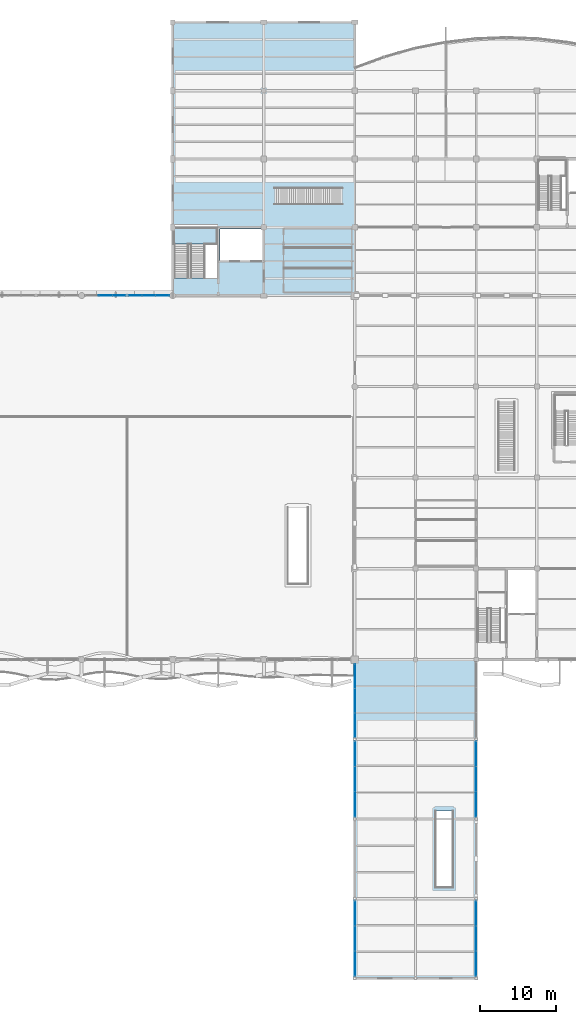
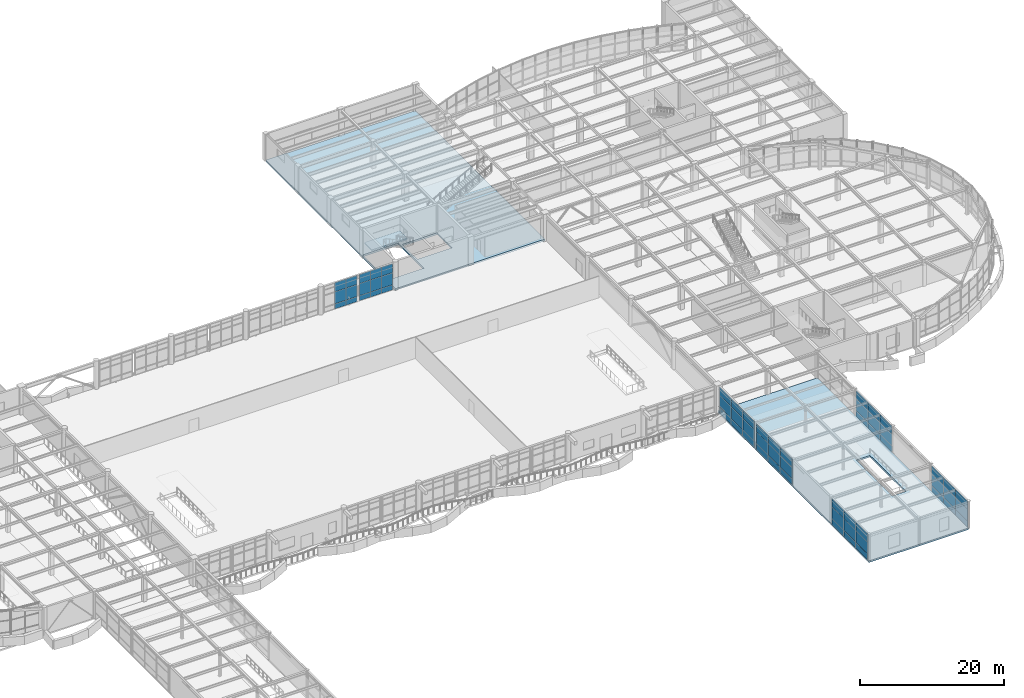
# One storey, part 40 of 72: 60 plates, 3 slabs, 8 elements without a shape of their own.
"""IFC4 building model written with IfcOpenShell, lengths in metres."""

import ifcopenshell
import ifcopenshell.guid

model = None  # the IFC model being written
_history = None  # IfcOwnerHistory: only IFC2X3 demands one
_inside = {}  # id of a spatial element -> (the spatial element, [elements in it])
_under = {}  # id of a project, library or spatial element -> (it, [spatial elements below it])
_declared = {}  # id of a project -> (the project, [libraries it declares])
_typed = {}  # id of a type object -> (the type object, [elements of that type])
_made_of = {}  # id of a material, layer set ... -> (it, [elements and type objects made of it])


def new_model(schema):
    """Start an empty IFC model of exactly this schema.

    Asked for "IFC4X3", IfcOpenShell would pick the latest addendum, in which some entities
    have other attributes; the version numbers below select the first issue.
    IFC2X3 requires an IfcOwnerHistory on every rooted entity: one is made here for all.
    """
    global model, _history
    if schema == "IFC4X3":
        model = ifcopenshell.file(schema_version=(4, 3, 0, 0))
    else:
        model = ifcopenshell.file(schema=schema)
    _inside.clear()
    _under.clear()
    _declared.clear()
    _typed.clear()
    _made_of.clear()
    _history = None
    if model.schema == "IFC2X3":
        org = make("IfcOrganization", Name="unknown")
        user = make(
            "IfcPersonAndOrganization",
            ThePerson=make("IfcPerson", FamilyName="unknown"),
            TheOrganization=org,
        )
        app = make(
            "IfcApplication",
            ApplicationDeveloper=org,
            Version="unknown",
            ApplicationFullName="unknown",
            ApplicationIdentifier="unknown",
        )
        _history = make(
            "IfcOwnerHistory",
            OwningUser=user,
            OwningApplication=app,
            ChangeAction="ADDED",
            CreationDate=0,
        )
    return model


def make(cls, **values):
    """One entity of the class cls with the attributes given. An attribute that is None is left unset."""
    return model.create_entity(
        cls, **{name: value for name, value in values.items() if value is not None}
    )


def rooted(cls, **values):
    """An entity with a GlobalId (a new one), such as an element, a storey or a relation."""
    return make(cls, GlobalId=ifcopenshell.guid.new(), OwnerHistory=_history, **values)


def si_unit(unit_type, name, prefix=None):
    """IfcSIUnit, for example si_unit("LENGTHUNIT", "METRE", prefix="MILLI")."""
    return make("IfcSIUnit", UnitType=unit_type, Prefix=prefix, Name=name)


def assignment(units):
    """IfcUnitAssignment: the units of a project."""
    return None if units is None else make("IfcUnitAssignment", Units=units)


def point(xyz):
    """IfcCartesianPoint."""
    return None if xyz is None else make("IfcCartesianPoint", Coordinates=xyz)


def direction(xyz):
    """IfcDirection."""
    return None if xyz is None else make("IfcDirection", DirectionRatios=xyz)


def frame(location, z_axis=None, x_axis=None):
    """IfcAxis2Placement3D, a coordinate frame: its origin and axes. An axis left out is left unset."""
    return make(
        "IfcAxis2Placement3D",
        Location=point(location),
        Axis=direction(z_axis),
        RefDirection=direction(x_axis),
    )


def frame_2d(location, x_axis=None):
    """IfcAxis2Placement2D, a coordinate frame in the plane: its origin and x axis."""
    return make(
        "IfcAxis2Placement2D", Location=point(location), RefDirection=direction(x_axis)
    )


def origin():
    """The frame at (0, 0, 0) with its axes left unset."""
    return frame((0.0, 0.0, 0.0))


def origin_2d():
    """The frame at (0, 0) in the plane with its x axis left unset."""
    return frame_2d((0.0, 0.0))


def place(relative_to, where):
    """IfcLocalPlacement: puts the frame where relative to a parent placement (None: the world)."""
    return make(
        "IfcLocalPlacement", PlacementRelTo=relative_to, RelativePlacement=where
    )


def context(
    kind, dimensions, precision=None, world=None, true_north=None, identifier=None
):
    """IfcGeometricRepresentationContext, for example the 3D "Model" context."""
    return make(
        "IfcGeometricRepresentationContext",
        ContextIdentifier=identifier,
        ContextType=kind,
        CoordinateSpaceDimension=dimensions,
        Precision=precision,
        WorldCoordinateSystem=world,
        TrueNorth=true_north,
    )


def subcontext(parent, identifier, kind, view, scale=None):
    """IfcGeometricRepresentationSubContext, for example "Body" below "Model"."""
    return make(
        "IfcGeometricRepresentationSubContext",
        ContextIdentifier=identifier,
        ContextType=kind,
        ParentContext=parent,
        TargetScale=scale,
        TargetView=view,
    )


def project(units=None, contexts=None):
    """IfcProject with its units and contexts."""
    return rooted(
        "IfcProject",
        Name="project",
        RepresentationContexts=contexts,
        UnitsInContext=assignment(units),
    )


def spatial(cls, under=None, at=None, **own):
    """A site, building, storey or space (cls), placed at a placement, below another one or the project."""
    s = rooted(cls, ObjectPlacement=at, **own)
    if under is not None:
        _under.setdefault(under.id(), (under, []))[1].append(s)
    return s


def polyline(points):
    """IfcPolyline through the points."""
    return make("IfcPolyline", Points=[point(p) for p in points])


def profile(cls, at=None, kind="AREA", **sizes):
    """A parametric profile (cls). Its sizes go by their IFC names, for example OverallWidth=200.0."""
    return make(cls, ProfileType=kind, Position=at, **sizes)


def rectangle(**sizes):
    """IfcRectangleProfileDef."""
    return profile("IfcRectangleProfileDef", **sizes)


def outline(outer, holes=None, kind="AREA"):
    """IfcArbitraryClosedProfileDef: a profile drawn as a closed curve; with holes, ...WithVoids."""
    if holes is None:
        return make("IfcArbitraryClosedProfileDef", ProfileType=kind, OuterCurve=outer)
    return make(
        "IfcArbitraryProfileDefWithVoids",
        ProfileType=kind,
        OuterCurve=outer,
        InnerCurves=holes,
    )


def extrude(swept, where, along, depth):
    """IfcExtrudedAreaSolid: the profile swept, set in the frame where, extruded along a direction by depth."""
    return make(
        "IfcExtrudedAreaSolid",
        SweptArea=swept,
        Position=where,
        ExtrudedDirection=direction(along),
        Depth=depth,
    )


def shape(context_of_items, identifier, shape_type, items):
    """IfcShapeRepresentation: the items that make up one representation, for example the "Body"."""
    return make(
        "IfcShapeRepresentation",
        ContextOfItems=context_of_items,
        RepresentationIdentifier=identifier,
        RepresentationType=shape_type,
        Items=items,
    )


def material(Name=None, Category=None):
    """IfcMaterial."""
    return make("IfcMaterial", Name=Name, Category=Category)


def layer(
    of_material, thickness, ventilated=None, Name=None, Category=None, Priority=None
):
    """IfcMaterialLayer: one layer of a wall or slab, of a material (None: an air gap)."""
    return make(
        "IfcMaterialLayer",
        Material=of_material,
        LayerThickness=thickness,
        IsVentilated=ventilated,
        Name=Name,
        Category=Category,
        Priority=Priority,
    )


def layer_set(layers, Name=None):
    """IfcMaterialLayerSet."""
    return make("IfcMaterialLayerSet", MaterialLayers=layers, LayerSetName=Name)


def made_of(thing, what):
    """Note that an element or type object is made of a material, layer set ...; save() writes the relation."""
    if what is not None:
        _made_of.setdefault(what.id(), (what, []))[1].append(thing)
    return thing


def type_object(cls, material=None, **own):
    """A type object (cls), such as IfcWallType, which elements share."""
    return made_of(rooted(cls, **own), material)


def element(
    cls,
    number,
    at=None,
    inside=None,
    cuts=None,
    type_object=None,
    material=None,
    context=None,
    identifier="Body",
    shape_type=None,
    held_by="IfcProductDefinitionShape",
    body=None,
    shapes=None,
    **own,
):
    """One element of the class cls, such as IfcWall. Its Tag is "e" and its number.

    at: its placement. inside: the storey or other place that contains it. cuts: it is an
    opening in that element (IfcRelVoidsElement). A single representation is given by context,
    identifier, shape_type and body (its items); several are given by shapes. held_by: the class
    of the entity that holds the representations. save() writes the other relations.
    """
    e = rooted(cls, Tag="e%d" % number, ObjectPlacement=at, **own)
    if body is not None:
        shapes = [shape(context, identifier, shape_type, body)]
    if shapes is not None:
        e.Representation = make(held_by, Representations=shapes)
    if inside is not None:
        _inside.setdefault(inside.id(), (inside, []))[1].append(e)
    if cuts is not None:
        rooted(
            "IfcRelVoidsElement", RelatingBuildingElement=cuts, RelatedOpeningElement=e
        )
    if type_object is not None:
        _typed.setdefault(type_object.id(), (type_object, []))[1].append(e)
    return made_of(e, material)


def aggregate(whole, parts):
    """IfcRelAggregates: a whole, such as a stair, and the parts it consists of."""
    return rooted("IfcRelAggregates", RelatingObject=whole, RelatedObjects=parts)


def save(model, path):
    """Write the relations noted so far, then the file.

    IfcRelAggregates (storeys below a building ...), IfcRelContainedInSpatialStructure (elements
    in a storey), IfcRelDefinesByType, IfcRelAssociatesMaterial and IfcRelDeclares: one each for
    every whole, place, type object, material and project.
    """
    for whole, parts in _under.values():
        aggregate(whole, parts)
    for where, things in _inside.values():
        rooted(
            "IfcRelContainedInSpatialStructure",
            RelatedElements=things,
            RelatingStructure=where,
        )
    for kind, things in _typed.values():
        rooted("IfcRelDefinesByType", RelatedObjects=things, RelatingType=kind)
    for what, things in _made_of.values():
        rooted("IfcRelAssociatesMaterial", RelatedObjects=things, RelatingMaterial=what)
    for by, libraries in _declared.values():
        rooted("IfcRelDeclares", RelatingContext=by, RelatedDefinitions=libraries)
    model.write(path)


model = new_model("IFC4")

# Units and contexts
model_context = context("Model", 3, precision=1e-05, world=origin(), true_north=direction((0.0, 1.0)))
body_context = subcontext(model_context, "Body", "Model", "MODEL_VIEW")
ifc_project = project(units=[si_unit("LENGTHUNIT", "METRE"), si_unit("AREAUNIT", "SQUARE_METRE"), si_unit("VOLUMEUNIT", "CUBIC_METRE"), si_unit("PLANEANGLEUNIT", "RADIAN"), si_unit("MASSUNIT", "GRAM", prefix="KILO")], contexts=[model_context])

# Site, building, storey
site_placement = place(None, origin())
site = spatial("IfcSite", under=ifc_project, at=site_placement, CompositionType="ELEMENT")
building_placement = place(site_placement, origin())
building = spatial("IfcBuilding", under=site, at=building_placement, Name="Keelwater Ferry Terminal", CompositionType="ELEMENT")
storey_placement = place(building_placement, frame((0.0, 0.0, 5.39990234375)))
storey = spatial("IfcBuildingStorey", under=building, at=storey_placement, Name="L01", CompositionType="ELEMENT", Elevation=5.39990234375)

# Curtain wall, plates
ifc_material_1 = material(Name="Thermally broken unitised aluminium and triple glass", Category="aluminium")
ifc_layer_1 = layer(ifc_material_1, 0.179931640625)
ifc_layer_set_1 = layer_set([ifc_layer_1], Name="Thermally broken unitised aluminium and triple glass")
curtain_wall_type_1 = type_object("IfcCurtainWallType", Name="CW-06 Unitised Curtain Wall 5330x4450", PredefinedType="USERDEFINED", material=ifc_layer_set_1)
curtain_wall_1_placement = place(storey_placement, origin())
curtain_wall_1 = element("IfcCurtainWall", 1, at=curtain_wall_1_placement, inside=storey, type_object=curtain_wall_type_1, Name="Unitised Curtain Wall CW-L01-037", ObjectType="UNITISED CURTAIN WALL", PredefinedType="USERDEFINED")
ifc_material_2 = material(Name="Insulated aluminium spandrel", Category="aluminium")
ifc_layer_2 = layer(ifc_material_2, 0.080078125)
ifc_layer_set_2 = layer_set([ifc_layer_2], Name="Insulated aluminium spandrel")
plate_type_1 = type_object("IfcPlateType", Name="CWP-S1 Insulated Spandrel Panel 80", PredefinedType="CURTAIN_PANEL", material=ifc_layer_set_2)
plate_1_placement = place(storey_placement, frame((99.139892578125, 90.0, 0.0), z_axis=(0.0, 0.0, 1.0), x_axis=(1.0, 0.0, 0.0)))
plate_1 = element("IfcPlate", 2, at=plate_1_placement, type_object=plate_type_1, Name="CW-L01-037 Panel 2.1", PredefinedType="CURTAIN_PANEL", context=body_context, shape_type="SweptSolid", body=[
    extrude(rectangle(XDim=1.776611328125, YDim=0.080078125, at=origin_2d()), origin(), (0.0, 0.0, 1.0), 0.85009765625),
])
plate_2_placement = place(storey_placement, frame((100.916748046875, 90.0, 0.0), z_axis=(0.0, 0.0, 1.0), x_axis=(1.0, 0.0, 0.0)))
plate_2 = element("IfcPlate", 3, at=plate_2_placement, type_object=plate_type_1, Name="CW-L01-037 Panel 3.1", PredefinedType="CURTAIN_PANEL", context=body_context, shape_type="SweptSolid", body=[
    extrude(rectangle(XDim=1.776611328125, YDim=0.080078125, at=origin_2d()), origin(), (0.0, 0.0, 1.0), 0.85009765625),
])

curtain_wall_2_placement = place(storey_placement, origin())
curtain_wall_2 = element("IfcCurtainWall", 4, at=curtain_wall_2_placement, inside=storey, type_object=curtain_wall_type_1, Name="Unitised Curtain Wall CW-L01-038", ObjectType="UNITISED CURTAIN WALL", PredefinedType="USERDEFINED")
plate_3_placement = place(storey_placement, frame((103.083251953125, 90.0, 0.0), z_axis=(0.0, 0.0, 1.0), x_axis=(1.0, 0.0, 0.0)))
plate_3 = element("IfcPlate", 5, at=plate_3_placement, type_object=plate_type_1, Name="CW-L01-038 Panel 1.1", PredefinedType="CURTAIN_PANEL", context=body_context, shape_type="SweptSolid", body=[
    extrude(rectangle(XDim=1.776611328125, YDim=0.080078125, at=origin_2d()), origin(), (0.0, 0.0, 1.0), 0.85009765625),
])
plate_4_placement = place(storey_placement, frame((104.860107421875, 90.0, 0.0), z_axis=(0.0, 0.0, 1.0), x_axis=(1.0, 0.0, 0.0)))
plate_4 = element("IfcPlate", 6, at=plate_4_placement, type_object=plate_type_1, Name="CW-L01-038 Panel 2.1", PredefinedType="CURTAIN_PANEL", context=body_context, shape_type="SweptSolid", body=[
    extrude(rectangle(XDim=1.776611328125, YDim=0.080078125, at=origin_2d()), origin(), (0.0, 0.0, 1.0), 0.85009765625),
])
plate_5_placement = place(storey_placement, frame((106.63671875, 90.0, 0.0), z_axis=(0.0, 0.0, 1.0), x_axis=(1.0, 0.0, 0.0)))
plate_5 = element("IfcPlate", 7, at=plate_5_placement, type_object=plate_type_1, Name="CW-L01-038 Panel 3.1", PredefinedType="CURTAIN_PANEL", context=body_context, shape_type="SweptSolid", body=[
    extrude(rectangle(XDim=1.776611328125, YDim=0.080078125, at=origin_2d()), origin(), (0.0, 0.0, 1.0), 0.85009765625),
])

ifc_material_3 = material(Name="Thermally broken unitised aluminium and triple glass", Category="aluminium")
ifc_layer_3 = layer(ifc_material_3, 0.179931640625)
ifc_layer_set_3 = layer_set([ifc_layer_3], Name="Thermally broken unitised aluminium and triple glass")
curtain_wall_type_2 = type_object("IfcCurtainWallType", Name="CW-09 Unitised Curtain Wall 9944x4400", PredefinedType="USERDEFINED", material=ifc_layer_set_3)
curtain_wall_3_placement = place(storey_placement, origin())
curtain_wall_3 = element("IfcCurtainWall", 8, at=curtain_wall_3_placement, inside=storey, type_object=curtain_wall_type_2, Name="Unitised Curtain Wall CW-L01-060", ObjectType="UNITISED CURTAIN WALL", PredefinedType="USERDEFINED")
plate_6_placement = place(storey_placement, frame((132.0, 1.935302734375, 0.0), z_axis=(0.0, 0.0, 1.0), x_axis=(0.0, 1.0, 0.0)))
plate_6 = element("IfcPlate", 9, at=plate_6_placement, type_object=plate_type_1, Name="CW-L01-060 Panel 1.1", PredefinedType="CURTAIN_PANEL", context=body_context, shape_type="SweptSolid", body=[
    extrude(rectangle(XDim=3.314697265625, YDim=0.080078125, at=origin_2d()), origin(), (0.0, 0.0, 1.0), 1.0),
])
plate_7_placement = place(storey_placement, frame((132.0, 5.25, 0.0), z_axis=(0.0, 0.0, 1.0), x_axis=(0.0, 1.0, 0.0)))
plate_7 = element("IfcPlate", 10, at=plate_7_placement, type_object=plate_type_1, Name="CW-L01-060 Panel 2.1", PredefinedType="CURTAIN_PANEL", context=body_context, shape_type="SweptSolid", body=[
    extrude(rectangle(XDim=3.314697265625, YDim=0.080078125, at=origin_2d()), origin(), (0.0, 0.0, 1.0), 1.0),
])
plate_8_placement = place(storey_placement, frame((132.0, 8.564697265625, 0.0), z_axis=(0.0, 0.0, 1.0), x_axis=(0.0, 1.0, 0.0)))
plate_8 = element("IfcPlate", 11, at=plate_8_placement, type_object=plate_type_1, Name="CW-L01-060 Panel 3.1", PredefinedType="CURTAIN_PANEL", context=body_context, shape_type="SweptSolid", body=[
    extrude(rectangle(XDim=3.314697265625, YDim=0.080078125, at=origin_2d()), origin(), (0.0, 0.0, 1.0), 1.0),
])

curtain_wall_4_placement = place(storey_placement, origin())
curtain_wall_4 = element("IfcCurtainWall", 12, at=curtain_wall_4_placement, inside=storey, type_object=curtain_wall_type_2, Name="Unitised Curtain Wall CW-L01-062", ObjectType="UNITISED CURTAIN WALL", PredefinedType="USERDEFINED")
plate_9_placement = place(storey_placement, frame((132.0, 22.935302734375, 0.0), z_axis=(0.0, 0.0, 1.0), x_axis=(0.0, 1.0, 0.0)))
plate_9 = element("IfcPlate", 13, at=plate_9_placement, type_object=plate_type_1, Name="CW-L01-062 Panel 1.1", PredefinedType="CURTAIN_PANEL", context=body_context, shape_type="SweptSolid", body=[
    extrude(rectangle(XDim=3.314697265625, YDim=0.080078125, at=origin_2d()), origin(), (0.0, 0.0, 1.0), 1.0),
])
plate_10_placement = place(storey_placement, frame((132.0, 26.25, 0.0), z_axis=(0.0, 0.0, 1.0), x_axis=(0.0, 1.0, 0.0)))
plate_10 = element("IfcPlate", 14, at=plate_10_placement, type_object=plate_type_1, Name="CW-L01-062 Panel 2.1", PredefinedType="CURTAIN_PANEL", context=body_context, shape_type="SweptSolid", body=[
    extrude(rectangle(XDim=3.314697265625, YDim=0.080078125, at=origin_2d()), origin(), (0.0, 0.0, 1.0), 1.0),
])
plate_11_placement = place(storey_placement, frame((132.0, 29.564697265625, 0.0), z_axis=(0.0, 0.0, 1.0), x_axis=(0.0, 1.0, 0.0)))
plate_11 = element("IfcPlate", 15, at=plate_11_placement, type_object=plate_type_1, Name="CW-L01-062 Panel 3.1", PredefinedType="CURTAIN_PANEL", context=body_context, shape_type="SweptSolid", body=[
    extrude(rectangle(XDim=3.314697265625, YDim=0.080078125, at=origin_2d()), origin(), (0.0, 0.0, 1.0), 1.0),
])

ifc_material_4 = material(Name="Thermally broken unitised aluminium and triple glass", Category="aluminium")
ifc_layer_4 = layer(ifc_material_4, 0.179931640625)
ifc_layer_set_4 = layer_set([ifc_layer_4], Name="Thermally broken unitised aluminium and triple glass")
curtain_wall_type_3 = type_object("IfcCurtainWallType", Name="CW-13 Unitised Curtain Wall 9647x4400", PredefinedType="USERDEFINED", material=ifc_layer_set_4)
curtain_wall_5_placement = place(storey_placement, origin())
curtain_wall_5 = element("IfcCurtainWall", 16, at=curtain_wall_5_placement, inside=storey, type_object=curtain_wall_type_3, Name="Unitised Curtain Wall CW-L01-064", ObjectType="UNITISED CURTAIN WALL", PredefinedType="USERDEFINED")
plate_12_placement = place(storey_placement, frame((132.0, 33.3857421875, 0.0), z_axis=(0.0, 0.0, 1.0), x_axis=(0.0, 1.0, 0.0)))
plate_12 = element("IfcPlate", 17, at=plate_12_placement, type_object=plate_type_1, Name="CW-L01-064 Panel 1.1", PredefinedType="CURTAIN_PANEL", context=body_context, shape_type="SweptSolid", body=[
    extrude(rectangle(XDim=3.215576171875, YDim=0.080078125, at=origin_2d()), origin(), (0.0, 0.0, 1.0), 1.0),
])
plate_13_placement = place(storey_placement, frame((132.0, 36.6015625, 0.0), z_axis=(0.0, 0.0, 1.0), x_axis=(0.0, 1.0, 0.0)))
plate_13 = element("IfcPlate", 18, at=plate_13_placement, type_object=plate_type_1, Name="CW-L01-064 Panel 2.1", PredefinedType="CURTAIN_PANEL", context=body_context, shape_type="SweptSolid", body=[
    extrude(rectangle(XDim=3.215576171875, YDim=0.080078125, at=origin_2d()), origin(), (0.0, 0.0, 1.0), 1.0),
])
plate_14_placement = place(storey_placement, frame((132.0, 39.817138671875, 0.0), z_axis=(0.0, 0.0, 1.0), x_axis=(0.0, 1.0, 0.0)))
plate_14 = element("IfcPlate", 19, at=plate_14_placement, type_object=plate_type_1, Name="CW-L01-064 Panel 3.1", PredefinedType="CURTAIN_PANEL", context=body_context, shape_type="SweptSolid", body=[
    extrude(rectangle(XDim=3.215576171875, YDim=0.080078125, at=origin_2d()), origin(), (0.0, 0.0, 1.0), 1.0),
])

curtain_wall_6_placement = place(storey_placement, origin())
curtain_wall_6 = element("IfcCurtainWall", 20, at=curtain_wall_6_placement, inside=storey, type_object=curtain_wall_type_2, Name="Unitised Curtain Wall CW-L01-066", ObjectType="UNITISED CURTAIN WALL", PredefinedType="USERDEFINED")
plate_15_placement = place(storey_placement, frame((148.0, 1.935302734375, 0.0), z_axis=(0.0, 0.0, 1.0), x_axis=(0.0, 1.0, 0.0)))
plate_15 = element("IfcPlate", 21, at=plate_15_placement, type_object=plate_type_1, Name="CW-L01-066 Panel 1.1", PredefinedType="CURTAIN_PANEL", context=body_context, shape_type="SweptSolid", body=[
    extrude(rectangle(XDim=3.314697265625, YDim=0.080078125, at=origin_2d()), origin(), (0.0, 0.0, 1.0), 1.0),
])
plate_16_placement = place(storey_placement, frame((148.0, 5.25, 0.0), z_axis=(0.0, 0.0, 1.0), x_axis=(0.0, 1.0, 0.0)))
plate_16 = element("IfcPlate", 22, at=plate_16_placement, type_object=plate_type_1, Name="CW-L01-066 Panel 2.1", PredefinedType="CURTAIN_PANEL", context=body_context, shape_type="SweptSolid", body=[
    extrude(rectangle(XDim=3.314697265625, YDim=0.080078125, at=origin_2d()), origin(), (0.0, 0.0, 1.0), 1.0),
])
plate_17_placement = place(storey_placement, frame((148.0, 8.564697265625, 0.0), z_axis=(0.0, 0.0, 1.0), x_axis=(0.0, 1.0, 0.0)))
plate_17 = element("IfcPlate", 23, at=plate_17_placement, type_object=plate_type_1, Name="CW-L01-066 Panel 3.1", PredefinedType="CURTAIN_PANEL", context=body_context, shape_type="SweptSolid", body=[
    extrude(rectangle(XDim=3.314697265625, YDim=0.080078125, at=origin_2d()), origin(), (0.0, 0.0, 1.0), 1.0),
])

curtain_wall_7_placement = place(storey_placement, origin())
curtain_wall_7 = element("IfcCurtainWall", 24, at=curtain_wall_7_placement, inside=storey, type_object=curtain_wall_type_2, Name="Unitised Curtain Wall CW-L01-068", ObjectType="UNITISED CURTAIN WALL", PredefinedType="USERDEFINED")
plate_18_placement = place(storey_placement, frame((148.0, 22.935302734375, 0.0), z_axis=(0.0, 0.0, 1.0), x_axis=(0.0, 1.0, 0.0)))
plate_18 = element("IfcPlate", 25, at=plate_18_placement, type_object=plate_type_1, Name="CW-L01-068 Panel 1.1", PredefinedType="CURTAIN_PANEL", context=body_context, shape_type="SweptSolid", body=[
    extrude(rectangle(XDim=3.314697265625, YDim=0.080078125, at=origin_2d()), origin(), (0.0, 0.0, 1.0), 1.0),
])
plate_19_placement = place(storey_placement, frame((148.0, 26.25, 0.0), z_axis=(0.0, 0.0, 1.0), x_axis=(0.0, 1.0, 0.0)))
plate_19 = element("IfcPlate", 26, at=plate_19_placement, type_object=plate_type_1, Name="CW-L01-068 Panel 2.1", PredefinedType="CURTAIN_PANEL", context=body_context, shape_type="SweptSolid", body=[
    extrude(rectangle(XDim=3.314697265625, YDim=0.080078125, at=origin_2d()), origin(), (0.0, 0.0, 1.0), 1.0),
])
plate_20_placement = place(storey_placement, frame((148.0, 29.564697265625, 0.0), z_axis=(0.0, 0.0, 1.0), x_axis=(0.0, 1.0, 0.0)))
plate_20 = element("IfcPlate", 27, at=plate_20_placement, type_object=plate_type_1, Name="CW-L01-068 Panel 3.1", PredefinedType="CURTAIN_PANEL", context=body_context, shape_type="SweptSolid", body=[
    extrude(rectangle(XDim=3.314697265625, YDim=0.080078125, at=origin_2d()), origin(), (0.0, 0.0, 1.0), 1.0),
])

# Plate
ifc_material_5 = material(Name="Triple low-E laminated glass", Category="glass")
ifc_layer_5 = layer(ifc_material_5, 0.035888671875)
ifc_layer_set_5 = layer_set([ifc_layer_5], Name="Triple low-E laminated glass")
plate_type_2 = type_object("IfcPlateType", Name="CWP-V1 Glazed Vision Panel 36", PredefinedType="CURTAIN_PANEL", material=ifc_layer_set_5)
plate_21_placement = place(storey_placement, frame((99.139892578125, 90.0, 0.85009765625), z_axis=(0.0, 0.0, 1.0), x_axis=(1.0, 0.0, 0.0)))
plate_21 = element("IfcPlate", 28, at=plate_21_placement, type_object=plate_type_2, Name="CW-L01-037 Panel 2.2", PredefinedType="CURTAIN_PANEL", context=body_context, shape_type="SweptSolid", body=[
    extrude(rectangle(XDim=1.776611328125, YDim=0.035888671875, at=origin_2d()), origin(), (0.0, 0.0, 1.0), 2.050048828125),
])

plate_22_placement = place(storey_placement, frame((99.139892578125, 90.0, 2.89990234375), z_axis=(0.0, 0.0, 1.0), x_axis=(1.0, 0.0, 0.0)))
plate_22 = element("IfcPlate", 29, at=plate_22_placement, type_object=plate_type_2, Name="CW-L01-037 Panel 2.3", PredefinedType="CURTAIN_PANEL", context=body_context, shape_type="SweptSolid", body=[
    extrude(rectangle(XDim=1.776611328125, YDim=0.035888671875, at=origin_2d()), origin(), (0.0, 0.0, 1.0), 1.550048828125),
])

plate_23_placement = place(storey_placement, frame((100.916748046875, 90.0, 0.85009765625), z_axis=(0.0, 0.0, 1.0), x_axis=(1.0, 0.0, 0.0)))
plate_23 = element("IfcPlate", 30, at=plate_23_placement, type_object=plate_type_2, Name="CW-L01-037 Panel 3.2", PredefinedType="CURTAIN_PANEL", context=body_context, shape_type="SweptSolid", body=[
    extrude(rectangle(XDim=1.776611328125, YDim=0.035888671875, at=origin_2d()), origin(), (0.0, 0.0, 1.0), 2.050048828125),
])

plate_24_placement = place(storey_placement, frame((100.916748046875, 90.0, 2.89990234375), z_axis=(0.0, 0.0, 1.0), x_axis=(1.0, 0.0, 0.0)))
plate_24 = element("IfcPlate", 31, at=plate_24_placement, type_object=plate_type_2, Name="CW-L01-037 Panel 3.3", PredefinedType="CURTAIN_PANEL", context=body_context, shape_type="SweptSolid", body=[
    extrude(rectangle(XDim=1.776611328125, YDim=0.035888671875, at=origin_2d()), origin(), (0.0, 0.0, 1.0), 1.550048828125),
])

aggregate(curtain_wall_1, [plate_1, plate_21, plate_22, plate_2, plate_23, plate_24])

plate_25_placement = place(storey_placement, frame((103.083251953125, 90.0, 0.85009765625), z_axis=(0.0, 0.0, 1.0), x_axis=(1.0, 0.0, 0.0)))
plate_25 = element("IfcPlate", 32, at=plate_25_placement, type_object=plate_type_2, Name="CW-L01-038 Panel 1.2", PredefinedType="CURTAIN_PANEL", context=body_context, shape_type="SweptSolid", body=[
    extrude(rectangle(XDim=1.776611328125, YDim=0.035888671875, at=origin_2d()), origin(), (0.0, 0.0, 1.0), 2.050048828125),
])

plate_26_placement = place(storey_placement, frame((103.083251953125, 90.0, 2.89990234375), z_axis=(0.0, 0.0, 1.0), x_axis=(1.0, 0.0, 0.0)))
plate_26 = element("IfcPlate", 33, at=plate_26_placement, type_object=plate_type_2, Name="CW-L01-038 Panel 1.3", PredefinedType="CURTAIN_PANEL", context=body_context, shape_type="SweptSolid", body=[
    extrude(rectangle(XDim=1.776611328125, YDim=0.035888671875, at=origin_2d()), origin(), (0.0, 0.0, 1.0), 1.550048828125),
])

plate_27_placement = place(storey_placement, frame((104.860107421875, 90.0, 0.85009765625), z_axis=(0.0, 0.0, 1.0), x_axis=(1.0, 0.0, 0.0)))
plate_27 = element("IfcPlate", 34, at=plate_27_placement, type_object=plate_type_2, Name="CW-L01-038 Panel 2.2", PredefinedType="CURTAIN_PANEL", context=body_context, shape_type="SweptSolid", body=[
    extrude(rectangle(XDim=1.776611328125, YDim=0.035888671875, at=origin_2d()), origin(), (0.0, 0.0, 1.0), 2.050048828125),
])

plate_28_placement = place(storey_placement, frame((104.860107421875, 90.0, 2.89990234375), z_axis=(0.0, 0.0, 1.0), x_axis=(1.0, 0.0, 0.0)))
plate_28 = element("IfcPlate", 35, at=plate_28_placement, type_object=plate_type_2, Name="CW-L01-038 Panel 2.3", PredefinedType="CURTAIN_PANEL", context=body_context, shape_type="SweptSolid", body=[
    extrude(rectangle(XDim=1.776611328125, YDim=0.035888671875, at=origin_2d()), origin(), (0.0, 0.0, 1.0), 1.550048828125),
])

plate_29_placement = place(storey_placement, frame((106.63671875, 90.0, 0.85009765625), z_axis=(0.0, 0.0, 1.0), x_axis=(1.0, 0.0, 0.0)))
plate_29 = element("IfcPlate", 36, at=plate_29_placement, type_object=plate_type_2, Name="CW-L01-038 Panel 3.2", PredefinedType="CURTAIN_PANEL", context=body_context, shape_type="SweptSolid", body=[
    extrude(rectangle(XDim=1.776611328125, YDim=0.035888671875, at=origin_2d()), origin(), (0.0, 0.0, 1.0), 2.050048828125),
])

plate_30_placement = place(storey_placement, frame((106.63671875, 90.0, 2.89990234375), z_axis=(0.0, 0.0, 1.0), x_axis=(1.0, 0.0, 0.0)))
plate_30 = element("IfcPlate", 37, at=plate_30_placement, type_object=plate_type_2, Name="CW-L01-038 Panel 3.3", PredefinedType="CURTAIN_PANEL", context=body_context, shape_type="SweptSolid", body=[
    extrude(rectangle(XDim=1.776611328125, YDim=0.035888671875, at=origin_2d()), origin(), (0.0, 0.0, 1.0), 1.550048828125),
])

aggregate(curtain_wall_2, [plate_3, plate_25, plate_26, plate_4, plate_27, plate_28, plate_5, plate_29, plate_30])

ifc_material_6 = material(Name="Acoustic marine triple glass", Category="glass")
ifc_layer_6 = layer(ifc_material_6, 0.048095703125)
ifc_layer_set_6 = layer_set([ifc_layer_6], Name="Acoustic marine triple glass")
plate_type_3 = type_object("IfcPlateType", Name="CWP-V3 Glazed Vision Panel 48", PredefinedType="CURTAIN_PANEL", material=ifc_layer_set_6)
plate_31_placement = place(storey_placement, frame((132.0, 1.935302734375, 1.0), z_axis=(0.0, 0.0, 1.0), x_axis=(0.0, 1.0, 0.0)))
plate_31 = element("IfcPlate", 38, at=plate_31_placement, type_object=plate_type_3, Name="CW-L01-060 Panel 1.2", PredefinedType="CURTAIN_PANEL", context=body_context, shape_type="SweptSolid", body=[
    extrude(rectangle(XDim=3.314697265625, YDim=0.048095703125, at=origin_2d()), origin(), (0.0, 0.0, 1.0), 2.0),
])

plate_32_placement = place(storey_placement, frame((132.0, 1.935302734375, 3.000244140625), z_axis=(0.0, 0.0, 1.0), x_axis=(0.0, 1.0, 0.0)))
plate_32 = element("IfcPlate", 39, at=plate_32_placement, type_object=plate_type_3, Name="CW-L01-060 Panel 1.3", PredefinedType="CURTAIN_PANEL", context=body_context, shape_type="SweptSolid", body=[
    extrude(rectangle(XDim=3.314697265625, YDim=0.048095703125, at=origin_2d()), origin(), (0.0, 0.0, 1.0), 1.39990234375),
])

plate_33_placement = place(storey_placement, frame((132.0, 5.25, 1.0), z_axis=(0.0, 0.0, 1.0), x_axis=(0.0, 1.0, 0.0)))
plate_33 = element("IfcPlate", 40, at=plate_33_placement, type_object=plate_type_3, Name="CW-L01-060 Panel 2.2", PredefinedType="CURTAIN_PANEL", context=body_context, shape_type="SweptSolid", body=[
    extrude(rectangle(XDim=3.314697265625, YDim=0.048095703125, at=origin_2d()), origin(), (0.0, 0.0, 1.0), 2.0),
])

plate_34_placement = place(storey_placement, frame((132.0, 5.25, 3.000244140625), z_axis=(0.0, 0.0, 1.0), x_axis=(0.0, 1.0, 0.0)))
plate_34 = element("IfcPlate", 41, at=plate_34_placement, type_object=plate_type_3, Name="CW-L01-060 Panel 2.3", PredefinedType="CURTAIN_PANEL", context=body_context, shape_type="SweptSolid", body=[
    extrude(rectangle(XDim=3.314697265625, YDim=0.048095703125, at=origin_2d()), origin(), (0.0, 0.0, 1.0), 1.39990234375),
])

plate_35_placement = place(storey_placement, frame((132.0, 8.564697265625, 1.0), z_axis=(0.0, 0.0, 1.0), x_axis=(0.0, 1.0, 0.0)))
plate_35 = element("IfcPlate", 42, at=plate_35_placement, type_object=plate_type_3, Name="CW-L01-060 Panel 3.2", PredefinedType="CURTAIN_PANEL", context=body_context, shape_type="SweptSolid", body=[
    extrude(rectangle(XDim=3.314697265625, YDim=0.048095703125, at=origin_2d()), origin(), (0.0, 0.0, 1.0), 2.0),
])

plate_36_placement = place(storey_placement, frame((132.0, 8.564697265625, 3.000244140625), z_axis=(0.0, 0.0, 1.0), x_axis=(0.0, 1.0, 0.0)))
plate_36 = element("IfcPlate", 43, at=plate_36_placement, type_object=plate_type_3, Name="CW-L01-060 Panel 3.3", PredefinedType="CURTAIN_PANEL", context=body_context, shape_type="SweptSolid", body=[
    extrude(rectangle(XDim=3.314697265625, YDim=0.048095703125, at=origin_2d()), origin(), (0.0, 0.0, 1.0), 1.39990234375),
])

aggregate(curtain_wall_3, [plate_6, plate_31, plate_32, plate_7, plate_33, plate_34, plate_8, plate_35, plate_36])

plate_37_placement = place(storey_placement, frame((132.0, 22.935302734375, 1.0), z_axis=(0.0, 0.0, 1.0), x_axis=(0.0, 1.0, 0.0)))
plate_37 = element("IfcPlate", 44, at=plate_37_placement, type_object=plate_type_3, Name="CW-L01-062 Panel 1.2", PredefinedType="CURTAIN_PANEL", context=body_context, shape_type="SweptSolid", body=[
    extrude(rectangle(XDim=3.314697265625, YDim=0.048095703125, at=origin_2d()), origin(), (0.0, 0.0, 1.0), 2.0),
])

plate_38_placement = place(storey_placement, frame((132.0, 22.935302734375, 3.000244140625), z_axis=(0.0, 0.0, 1.0), x_axis=(0.0, 1.0, 0.0)))
plate_38 = element("IfcPlate", 45, at=plate_38_placement, type_object=plate_type_3, Name="CW-L01-062 Panel 1.3", PredefinedType="CURTAIN_PANEL", context=body_context, shape_type="SweptSolid", body=[
    extrude(rectangle(XDim=3.314697265625, YDim=0.048095703125, at=origin_2d()), origin(), (0.0, 0.0, 1.0), 1.39990234375),
])

plate_39_placement = place(storey_placement, frame((132.0, 26.25, 1.0), z_axis=(0.0, 0.0, 1.0), x_axis=(0.0, 1.0, 0.0)))
plate_39 = element("IfcPlate", 46, at=plate_39_placement, type_object=plate_type_3, Name="CW-L01-062 Panel 2.2", PredefinedType="CURTAIN_PANEL", context=body_context, shape_type="SweptSolid", body=[
    extrude(rectangle(XDim=3.314697265625, YDim=0.048095703125, at=origin_2d()), origin(), (0.0, 0.0, 1.0), 2.0),
])

plate_40_placement = place(storey_placement, frame((132.0, 26.25, 3.000244140625), z_axis=(0.0, 0.0, 1.0), x_axis=(0.0, 1.0, 0.0)))
plate_40 = element("IfcPlate", 47, at=plate_40_placement, type_object=plate_type_3, Name="CW-L01-062 Panel 2.3", PredefinedType="CURTAIN_PANEL", context=body_context, shape_type="SweptSolid", body=[
    extrude(rectangle(XDim=3.314697265625, YDim=0.048095703125, at=origin_2d()), origin(), (0.0, 0.0, 1.0), 1.39990234375),
])

plate_41_placement = place(storey_placement, frame((132.0, 29.564697265625, 1.0), z_axis=(0.0, 0.0, 1.0), x_axis=(0.0, 1.0, 0.0)))
plate_41 = element("IfcPlate", 48, at=plate_41_placement, type_object=plate_type_3, Name="CW-L01-062 Panel 3.2", PredefinedType="CURTAIN_PANEL", context=body_context, shape_type="SweptSolid", body=[
    extrude(rectangle(XDim=3.314697265625, YDim=0.048095703125, at=origin_2d()), origin(), (0.0, 0.0, 1.0), 2.0),
])

plate_42_placement = place(storey_placement, frame((132.0, 29.564697265625, 3.000244140625), z_axis=(0.0, 0.0, 1.0), x_axis=(0.0, 1.0, 0.0)))
plate_42 = element("IfcPlate", 49, at=plate_42_placement, type_object=plate_type_3, Name="CW-L01-062 Panel 3.3", PredefinedType="CURTAIN_PANEL", context=body_context, shape_type="SweptSolid", body=[
    extrude(rectangle(XDim=3.314697265625, YDim=0.048095703125, at=origin_2d()), origin(), (0.0, 0.0, 1.0), 1.39990234375),
])

aggregate(curtain_wall_4, [plate_9, plate_37, plate_38, plate_10, plate_39, plate_40, plate_11, plate_41, plate_42])

plate_43_placement = place(storey_placement, frame((132.0, 33.3857421875, 1.0), z_axis=(0.0, 0.0, 1.0), x_axis=(0.0, 1.0, 0.0)))
plate_43 = element("IfcPlate", 50, at=plate_43_placement, type_object=plate_type_3, Name="CW-L01-064 Panel 1.2", PredefinedType="CURTAIN_PANEL", context=body_context, shape_type="SweptSolid", body=[
    extrude(rectangle(XDim=3.215576171875, YDim=0.048095703125, at=origin_2d()), origin(), (0.0, 0.0, 1.0), 2.0),
])

plate_44_placement = place(storey_placement, frame((132.0, 33.3857421875, 3.000244140625), z_axis=(0.0, 0.0, 1.0), x_axis=(0.0, 1.0, 0.0)))
plate_44 = element("IfcPlate", 51, at=plate_44_placement, type_object=plate_type_3, Name="CW-L01-064 Panel 1.3", PredefinedType="CURTAIN_PANEL", context=body_context, shape_type="SweptSolid", body=[
    extrude(rectangle(XDim=3.215576171875, YDim=0.048095703125, at=origin_2d()), origin(), (0.0, 0.0, 1.0), 1.39990234375),
])

plate_45_placement = place(storey_placement, frame((132.0, 36.6015625, 1.0), z_axis=(0.0, 0.0, 1.0), x_axis=(0.0, 1.0, 0.0)))
plate_45 = element("IfcPlate", 52, at=plate_45_placement, type_object=plate_type_3, Name="CW-L01-064 Panel 2.2", PredefinedType="CURTAIN_PANEL", context=body_context, shape_type="SweptSolid", body=[
    extrude(rectangle(XDim=3.215576171875, YDim=0.048095703125, at=origin_2d()), origin(), (0.0, 0.0, 1.0), 2.0),
])

plate_46_placement = place(storey_placement, frame((132.0, 36.6015625, 3.000244140625), z_axis=(0.0, 0.0, 1.0), x_axis=(0.0, 1.0, 0.0)))
plate_46 = element("IfcPlate", 53, at=plate_46_placement, type_object=plate_type_3, Name="CW-L01-064 Panel 2.3", PredefinedType="CURTAIN_PANEL", context=body_context, shape_type="SweptSolid", body=[
    extrude(rectangle(XDim=3.215576171875, YDim=0.048095703125, at=origin_2d()), origin(), (0.0, 0.0, 1.0), 1.39990234375),
])

plate_47_placement = place(storey_placement, frame((132.0, 39.817138671875, 1.0), z_axis=(0.0, 0.0, 1.0), x_axis=(0.0, 1.0, 0.0)))
plate_47 = element("IfcPlate", 54, at=plate_47_placement, type_object=plate_type_3, Name="CW-L01-064 Panel 3.2", PredefinedType="CURTAIN_PANEL", context=body_context, shape_type="SweptSolid", body=[
    extrude(rectangle(XDim=3.215576171875, YDim=0.048095703125, at=origin_2d()), origin(), (0.0, 0.0, 1.0), 2.0),
])

plate_48_placement = place(storey_placement, frame((132.0, 39.817138671875, 3.000244140625), z_axis=(0.0, 0.0, 1.0), x_axis=(0.0, 1.0, 0.0)))
plate_48 = element("IfcPlate", 55, at=plate_48_placement, type_object=plate_type_3, Name="CW-L01-064 Panel 3.3", PredefinedType="CURTAIN_PANEL", context=body_context, shape_type="SweptSolid", body=[
    extrude(rectangle(XDim=3.215576171875, YDim=0.048095703125, at=origin_2d()), origin(), (0.0, 0.0, 1.0), 1.39990234375),
])

aggregate(curtain_wall_5, [plate_12, plate_43, plate_44, plate_13, plate_45, plate_46, plate_14, plate_47, plate_48])

plate_49_placement = place(storey_placement, frame((148.0, 1.935302734375, 1.0), z_axis=(0.0, 0.0, 1.0), x_axis=(0.0, 1.0, 0.0)))
plate_49 = element("IfcPlate", 56, at=plate_49_placement, type_object=plate_type_3, Name="CW-L01-066 Panel 1.2", PredefinedType="CURTAIN_PANEL", context=body_context, shape_type="SweptSolid", body=[
    extrude(rectangle(XDim=3.314697265625, YDim=0.048095703125, at=origin_2d()), origin(), (0.0, 0.0, 1.0), 2.0),
])

plate_50_placement = place(storey_placement, frame((148.0, 1.935302734375, 3.000244140625), z_axis=(0.0, 0.0, 1.0), x_axis=(0.0, 1.0, 0.0)))
plate_50 = element("IfcPlate", 57, at=plate_50_placement, type_object=plate_type_3, Name="CW-L01-066 Panel 1.3", PredefinedType="CURTAIN_PANEL", context=body_context, shape_type="SweptSolid", body=[
    extrude(rectangle(XDim=3.314697265625, YDim=0.048095703125, at=origin_2d()), origin(), (0.0, 0.0, 1.0), 1.39990234375),
])

plate_51_placement = place(storey_placement, frame((148.0, 5.25, 1.0), z_axis=(0.0, 0.0, 1.0), x_axis=(0.0, 1.0, 0.0)))
plate_51 = element("IfcPlate", 58, at=plate_51_placement, type_object=plate_type_3, Name="CW-L01-066 Panel 2.2", PredefinedType="CURTAIN_PANEL", context=body_context, shape_type="SweptSolid", body=[
    extrude(rectangle(XDim=3.314697265625, YDim=0.048095703125, at=origin_2d()), origin(), (0.0, 0.0, 1.0), 2.0),
])

plate_52_placement = place(storey_placement, frame((148.0, 5.25, 3.000244140625), z_axis=(0.0, 0.0, 1.0), x_axis=(0.0, 1.0, 0.0)))
plate_52 = element("IfcPlate", 59, at=plate_52_placement, type_object=plate_type_3, Name="CW-L01-066 Panel 2.3", PredefinedType="CURTAIN_PANEL", context=body_context, shape_type="SweptSolid", body=[
    extrude(rectangle(XDim=3.314697265625, YDim=0.048095703125, at=origin_2d()), origin(), (0.0, 0.0, 1.0), 1.39990234375),
])

plate_53_placement = place(storey_placement, frame((148.0, 8.564697265625, 1.0), z_axis=(0.0, 0.0, 1.0), x_axis=(0.0, 1.0, 0.0)))
plate_53 = element("IfcPlate", 60, at=plate_53_placement, type_object=plate_type_3, Name="CW-L01-066 Panel 3.2", PredefinedType="CURTAIN_PANEL", context=body_context, shape_type="SweptSolid", body=[
    extrude(rectangle(XDim=3.314697265625, YDim=0.048095703125, at=origin_2d()), origin(), (0.0, 0.0, 1.0), 2.0),
])

plate_54_placement = place(storey_placement, frame((148.0, 8.564697265625, 3.000244140625), z_axis=(0.0, 0.0, 1.0), x_axis=(0.0, 1.0, 0.0)))
plate_54 = element("IfcPlate", 61, at=plate_54_placement, type_object=plate_type_3, Name="CW-L01-066 Panel 3.3", PredefinedType="CURTAIN_PANEL", context=body_context, shape_type="SweptSolid", body=[
    extrude(rectangle(XDim=3.314697265625, YDim=0.048095703125, at=origin_2d()), origin(), (0.0, 0.0, 1.0), 1.39990234375),
])

aggregate(curtain_wall_6, [plate_15, plate_49, plate_50, plate_16, plate_51, plate_52, plate_17, plate_53, plate_54])

plate_55_placement = place(storey_placement, frame((148.0, 22.935302734375, 1.0), z_axis=(0.0, 0.0, 1.0), x_axis=(0.0, 1.0, 0.0)))
plate_55 = element("IfcPlate", 62, at=plate_55_placement, type_object=plate_type_3, Name="CW-L01-068 Panel 1.2", PredefinedType="CURTAIN_PANEL", context=body_context, shape_type="SweptSolid", body=[
    extrude(rectangle(XDim=3.314697265625, YDim=0.048095703125, at=origin_2d()), origin(), (0.0, 0.0, 1.0), 2.0),
])

plate_56_placement = place(storey_placement, frame((148.0, 22.935302734375, 3.000244140625), z_axis=(0.0, 0.0, 1.0), x_axis=(0.0, 1.0, 0.0)))
plate_56 = element("IfcPlate", 63, at=plate_56_placement, type_object=plate_type_3, Name="CW-L01-068 Panel 1.3", PredefinedType="CURTAIN_PANEL", context=body_context, shape_type="SweptSolid", body=[
    extrude(rectangle(XDim=3.314697265625, YDim=0.048095703125, at=origin_2d()), origin(), (0.0, 0.0, 1.0), 1.39990234375),
])

plate_57_placement = place(storey_placement, frame((148.0, 26.25, 1.0), z_axis=(0.0, 0.0, 1.0), x_axis=(0.0, 1.0, 0.0)))
plate_57 = element("IfcPlate", 64, at=plate_57_placement, type_object=plate_type_3, Name="CW-L01-068 Panel 2.2", PredefinedType="CURTAIN_PANEL", context=body_context, shape_type="SweptSolid", body=[
    extrude(rectangle(XDim=3.314697265625, YDim=0.048095703125, at=origin_2d()), origin(), (0.0, 0.0, 1.0), 2.0),
])

plate_58_placement = place(storey_placement, frame((148.0, 26.25, 3.000244140625), z_axis=(0.0, 0.0, 1.0), x_axis=(0.0, 1.0, 0.0)))
plate_58 = element("IfcPlate", 65, at=plate_58_placement, type_object=plate_type_3, Name="CW-L01-068 Panel 2.3", PredefinedType="CURTAIN_PANEL", context=body_context, shape_type="SweptSolid", body=[
    extrude(rectangle(XDim=3.314697265625, YDim=0.048095703125, at=origin_2d()), origin(), (0.0, 0.0, 1.0), 1.39990234375),
])

plate_59_placement = place(storey_placement, frame((148.0, 29.564697265625, 1.0), z_axis=(0.0, 0.0, 1.0), x_axis=(0.0, 1.0, 0.0)))
plate_59 = element("IfcPlate", 66, at=plate_59_placement, type_object=plate_type_3, Name="CW-L01-068 Panel 3.2", PredefinedType="CURTAIN_PANEL", context=body_context, shape_type="SweptSolid", body=[
    extrude(rectangle(XDim=3.314697265625, YDim=0.048095703125, at=origin_2d()), origin(), (0.0, 0.0, 1.0), 2.0),
])

plate_60_placement = place(storey_placement, frame((148.0, 29.564697265625, 3.000244140625), z_axis=(0.0, 0.0, 1.0), x_axis=(0.0, 1.0, 0.0)))
plate_60 = element("IfcPlate", 67, at=plate_60_placement, type_object=plate_type_3, Name="CW-L01-068 Panel 3.3", PredefinedType="CURTAIN_PANEL", context=body_context, shape_type="SweptSolid", body=[
    extrude(rectangle(XDim=3.314697265625, YDim=0.048095703125, at=origin_2d()), origin(), (0.0, 0.0, 1.0), 1.39990234375),
])

aggregate(curtain_wall_7, [plate_18, plate_55, plate_56, plate_19, plate_57, plate_58, plate_20, plate_59, plate_60])

# Slabs
ifc_material_7 = material(Name="Concrete C40/50", Category="concrete")
ifc_layer_7 = layer(ifc_material_7, 0.280029296875)
ifc_layer_set_7 = layer_set([ifc_layer_7], Name="Concrete C40/50")
slab_type_1 = type_object("IfcSlabType", Name="SL-F280 Suspended Floor Slab 280", PredefinedType="FLOOR", material=ifc_layer_set_7)
slab_1_placement = place(storey_placement, frame((0.0, 0.0, -0.27978515625)))
element("IfcSlab", 68, at=slab_1_placement, inside=storey, type_object=slab_type_1, Name="V3 East Boarding Bridge Deck SL-L01-037", PredefinedType="FLOOR", context=body_context, shape_type="SweptSolid", body=[
    extrude(outline(polyline([(132.0, 0.0), (148.0, 0.0), (148.0, 42.0), (132.0, 42.0), (132.0, 0.0)]), holes=[polyline([(142.699951171875, 12.0), (144.89990234375, 12.0), (144.89990234375, 22.06005859375), (142.699951171875, 22.06005859375), (142.699951171875, 12.0)])]), origin(), (0.0, 0.0, 1.0), 0.27978515625),
])
ifc_material_8 = material(Name="Concrete C40/50", Category="concrete")
ifc_layer_8 = layer(ifc_material_8, 0.300048828125)
ifc_layer_set_8 = layer_set([ifc_layer_8], Name="Concrete C40/50")
slab_type_2 = type_object("IfcSlabType", Name="SL-F300 Suspended Floor Slab 300", PredefinedType="FLOOR", material=ifc_layer_set_8)
slab_2_placement = place(storey_placement, frame((0.0, 0.0, -0.2998046875)))
element("IfcSlab", 69, at=slab_2_placement, inside=storey, type_object=slab_type_2, Name="V5 West Level L01 Floor Slab SL-L01-038", PredefinedType="FLOOR", context=body_context, shape_type="SweptSolid", body=[
    extrude(outline(polyline([(108.0, 90.0), (132.0, 90.0), (132.0, 126.0), (108.0, 126.0), (108.0, 90.0)]), holes=[polyline([(108.14990234375, 92.320068359375), (113.89990234375, 92.320068359375), (113.89990234375, 99.340087890625), (108.14990234375, 99.340087890625), (108.14990234375, 92.320068359375)]), polyline([(114.199951171875, 94.64990234375), (119.800048828125, 94.64990234375), (119.800048828125, 98.800048828125), (114.199951171875, 98.800048828125), (114.199951171875, 94.64990234375)])]), origin(), (0.0, 0.0, 1.0), 0.2998046875),
])

# Stair, slab
ifc_material_9 = material(Name="Concrete C40/50", Category="concrete")
stair_type = type_object("IfcStairType", Name="ST-T04 Half-Turn Stair 1850W 32R", PredefinedType="HALF_TURN_STAIR", material=ifc_material_9)
stair_placement = place(storey_placement, origin())
stair = element("IfcStair", 70, at=stair_placement, inside=storey, type_object=stair_type, Name="Half-Turn Stair ST-C2-L01", PredefinedType="HALF_TURN_STAIR")
ifc_material_10 = material(Name="Concrete C40/50", Category="concrete")
ifc_layer_9 = layer(ifc_material_10, 0.219970703125)
ifc_layer_set_9 = layer_set([ifc_layer_9], Name="Concrete C40/50")
slab_type_3 = type_object("IfcSlabType", Name="SL-LD220 Stair Landing Slab 220", PredefinedType="LANDING", material=ifc_layer_set_9)
slab_3_placement = place(storey_placement, frame((0.0, 0.0, 2.18017578125)))
slab_3 = element("IfcSlab", 71, at=slab_3_placement, type_object=slab_type_3, Name="ST-C2-L01 landing 1", PredefinedType="LANDING", context=body_context, shape_type="SweptSolid", body=[
    extrude(outline(polyline([(108.14990234375, 96.780029296875), (113.8798828125, 96.780029296875), (113.8798828125, 98.89990234375), (108.14990234375, 98.89990234375), (108.14990234375, 96.780029296875)])), origin(), (0.0, 0.0, 1.0), 0.219970703125),
])
aggregate(stair, [slab_3])

save(model, "model.ifc")
